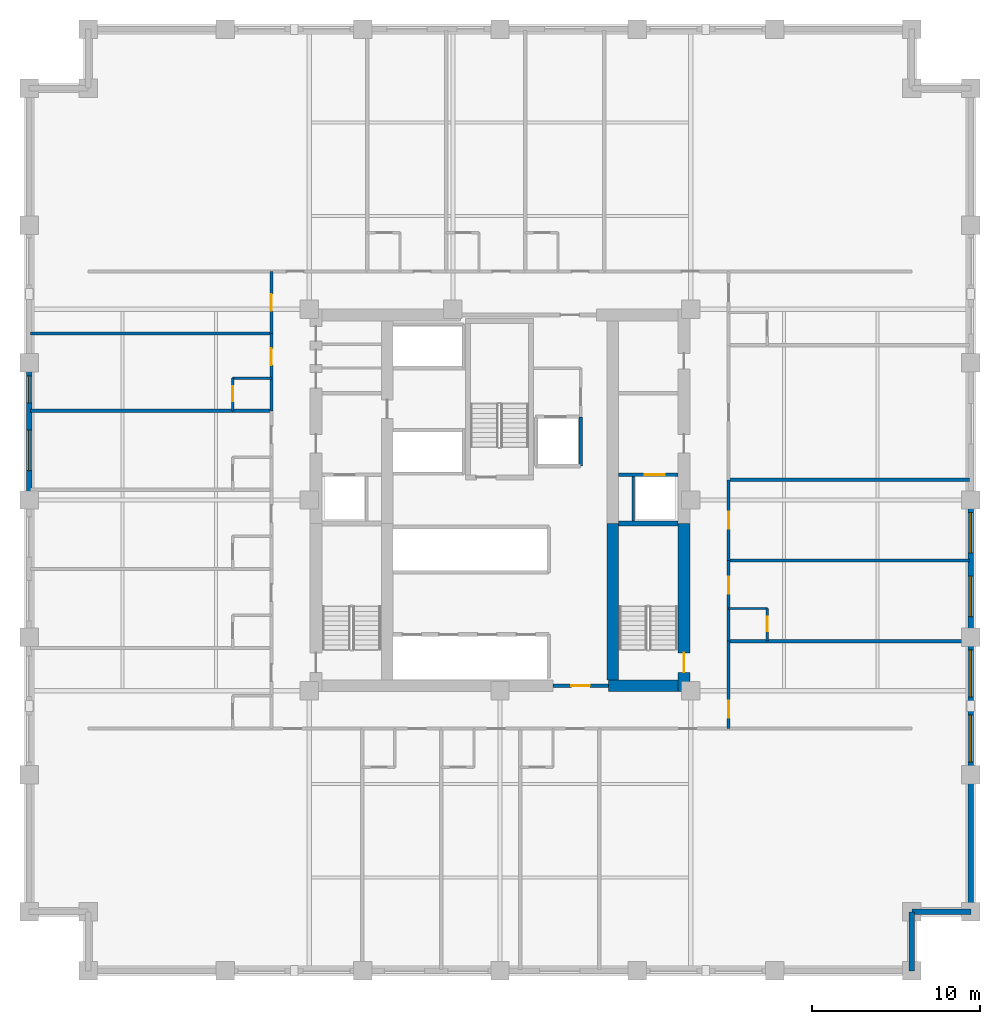
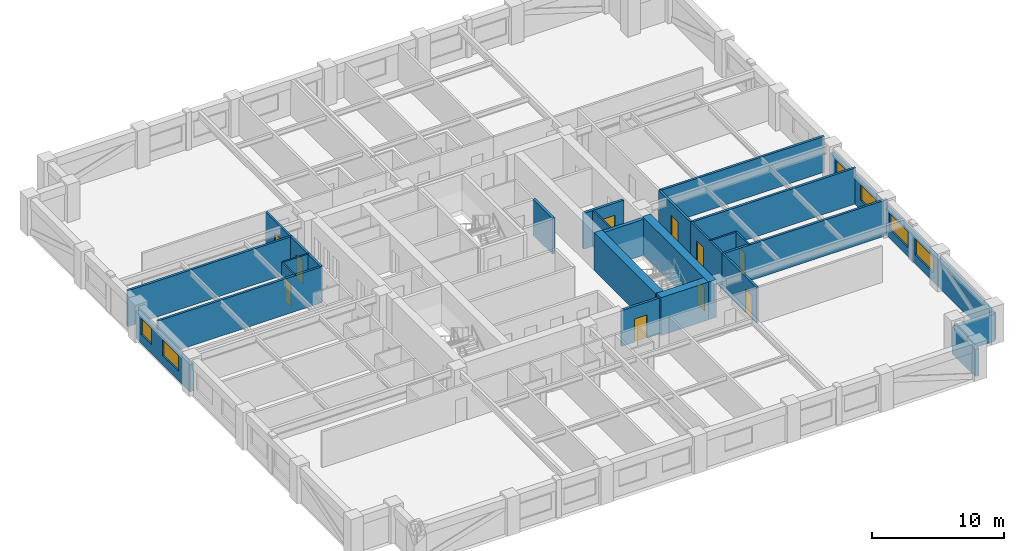
# One storey, part 4 of 8: 28 walls, 10 doors, 6 windows, 16 openings.
"""IFC4 building model written with IfcOpenShell, lengths in metres."""

from ifc_helpers import new_model, si_unit, direction, frame, frame_2d, origin, place, context, subcontext, project, spatial, rectangle, extrude, material, layer, layer_set, type_object, element, fill, save


model = new_model("IFC4")

# Units and contexts
model_context = context("Model", 3, precision=1e-05, world=origin(), true_north=direction((0.0, 1.0)))
body_context = subcontext(model_context, "Body", "Model", "MODEL_VIEW")
ifc_project = project(units=[si_unit("LENGTHUNIT", "METRE"), si_unit("AREAUNIT", "SQUARE_METRE"), si_unit("VOLUMEUNIT", "CUBIC_METRE"), si_unit("PLANEANGLEUNIT", "RADIAN"), si_unit("MASSUNIT", "GRAM", prefix="KILO")], contexts=[model_context])

# Site, building, storey
site_placement = place(None, origin())
site = spatial("IfcSite", under=ifc_project, at=site_placement, CompositionType="ELEMENT")
building_placement = place(site_placement, origin())
building = spatial("IfcBuilding", under=site, at=building_placement, Name="Nhamokura Convention Tower", CompositionType="ELEMENT")
storey_placement = place(building_placement, frame((0.0, 0.0, 42.35009765625)))
storey = spatial("IfcBuildingStorey", under=building, at=storey_placement, Name="L08", CompositionType="ELEMENT", Elevation=42.35009765625)

# Wall
ifc_material_1 = material(Name="Moisture-resistant tile-backer partition", Category="masonry")
ifc_layer_1 = layer(ifc_material_1, 0.139892578125)
ifc_layer_set_1 = layer_set([ifc_layer_1], Name="BathroomWetWall_140")
wall_type_1 = type_object("IfcWallType", Name="BathroomWetWall_140", PredefinedType="STANDARD", material=ifc_layer_set_1)
wall_1_placement = place(storey_placement, frame((16.10009765625, 39.25, 0.0), z_axis=(0.0, 0.0, 1.0), x_axis=(1.0, 0.0, 0.0)))
element("IfcWall", 1, at=wall_1_placement, inside=storey, type_object=wall_type_1, Name="L08 Wall INT-L08-BW-W04N", PredefinedType="STANDARD", context=body_context, shape_type="SweptSolid", body=[
    extrude(rectangle(XDim=2.2998046875, YDim=0.139892578125, at=frame_2d((1.14990234375, 0.0))), origin(), (0.0, 0.0, 1.0), 3.31982421875),
])

# Wall, opening, door
wall_2_placement = place(storey_placement, frame((16.10009765625, 37.300048828125, 0.0), z_axis=(0.0, 0.0, 1.0), x_axis=(0.0, 1.0, 0.0)))
wall_2 = element("IfcWall", 2, at=wall_2_placement, inside=storey, type_object=wall_type_1, Name="L08 Wall INT-L08-BW-W04W", PredefinedType="STANDARD", context=body_context, shape_type="SweptSolid", body=[
    extrude(rectangle(XDim=1.949951171875, YDim=0.139892578125, at=frame_2d((0.97509765625, 0.0))), origin(), (0.0, 0.0, 1.0), 3.31982421875),
])
opening_1_placement = place(wall_2_placement, frame((0.580078125, 0.0, 0.0)))
opening_1 = element("IfcOpeningElement", 3, at=opening_1_placement, cuts=wall_2, Name="Opening D-11", PredefinedType="OPENING", context=body_context, shape_type="SweptSolid", body=[
    extrude(rectangle(XDim=0.8798828125, YDim=2.10009765625, at=frame_2d((0.43994140625, 1.050048828125))), frame((0.0, 0.079833984375, 0.0), z_axis=(0.0, -1.0, 0.0), x_axis=(1.0, 0.0, 0.0)), (0.0, 0.0, 1.0), 0.159912109375),
])
ifc_material_2 = material(Name="Solid oak hardwood", Category="wood")
door_type_1 = type_object("IfcDoorType", Name="BathroomDoor_880", OperationType="NOTDEFINED", PredefinedType="DOOR", material=ifc_material_2)
door_1_placement = place(opening_1_placement, origin())
door_1 = element("IfcDoor", 4, at=door_1_placement, inside=storey, type_object=door_type_1, Name="L08 Guest Room En-suite Door", OperationType="SINGLE_SWING_RIGHT", OverallHeight=2.10009765625, OverallWidth=0.8798828125, PredefinedType="DOOR", context=body_context, shape_type="SweptSolid", body=[
    extrude(rectangle(XDim=0.8798828125, YDim=2.10009765625, at=frame_2d((0.43994140625, 1.050048828125))), frame((0.0, 0.02490234375, 0.0), z_axis=(0.0, -1.0, 0.0), x_axis=(1.0, 0.0, 0.0)), (0.0, 0.0, 1.0), 0.050048828125),
])
fill(opening_1, door_1)

# Wall
wall_3_placement = place(storey_placement, frame((45.60009765625, 25.550048828125, 0.0), z_axis=(0.0, 0.0, 1.0), x_axis=(1.0, 0.0, 0.0)))
element("IfcWall", 5, at=wall_3_placement, inside=storey, type_object=wall_type_1, Name="L08 Wall INT-L08-BW-E01N", PredefinedType="STANDARD", context=body_context, shape_type="SweptSolid", body=[
    extrude(rectangle(XDim=2.2998046875, YDim=0.139892578125, at=frame_2d((1.14990234375, 0.0))), origin(), (0.0, 0.0, 1.0), 3.31982421875),
])

# Wall, opening, door
wall_4_placement = place(storey_placement, frame((47.89990234375, 23.60009765625, 0.0), z_axis=(0.0, 0.0, 1.0), x_axis=(0.0, 1.0, 0.0)))
wall_4 = element("IfcWall", 6, at=wall_4_placement, inside=storey, type_object=wall_type_1, Name="L08 Wall INT-L08-BW-E01E", PredefinedType="STANDARD", context=body_context, shape_type="SweptSolid", body=[
    extrude(rectangle(XDim=1.949951171875, YDim=0.139892578125, at=frame_2d((0.97509765625, 0.0))), origin(), (0.0, 0.0, 1.0), 3.31982421875),
])
opening_2_placement = place(wall_4_placement, frame((0.580078125, 0.0, 0.0)))
opening_2 = element("IfcOpeningElement", 7, at=opening_2_placement, cuts=wall_4, Name="Opening D-11", PredefinedType="OPENING", context=body_context, shape_type="SweptSolid", body=[
    extrude(rectangle(XDim=0.8798828125, YDim=2.10009765625, at=frame_2d((0.43994140625, 1.050048828125))), frame((0.0, 0.079833984375, 0.0), z_axis=(0.0, -1.0, 0.0), x_axis=(1.0, 0.0, 0.0)), (0.0, 0.0, 1.0), 0.159912109375),
])
door_2_placement = place(opening_2_placement, origin())
door_2 = element("IfcDoor", 8, at=door_2_placement, inside=storey, type_object=door_type_1, Name="L08 Guest Room En-suite Door", OperationType="SINGLE_SWING_LEFT", OverallHeight=2.10009765625, OverallWidth=0.8798828125, PredefinedType="DOOR", context=body_context, shape_type="SweptSolid", body=[
    extrude(rectangle(XDim=0.8798828125, YDim=2.10009765625, at=frame_2d((0.43994140625, 1.050048828125))), frame((0.0, 0.02490234375, 0.0), z_axis=(0.0, -1.0, 0.0), x_axis=(1.0, 0.0, 0.0)), (0.0, 0.0, 1.0), 0.050048828125),
])
fill(opening_2, door_2)

# Wall, openings, windows
ifc_material_3 = material(Name="Bronze-pigmented precast concrete C45/55", Category="concrete")
ifc_layer_2 = layer(ifc_material_3, 0.320068359375)
ifc_layer_set_2 = layer_set([ifc_layer_2], Name="BronzePrecastSpandrel_320")
wall_type_2 = type_object("IfcWallType", Name="BronzePrecastSpandrel_320", PredefinedType="USERDEFINED", material=ifc_layer_set_2)
wall_5_placement = place(storey_placement, frame((4.0, 32.0, 0.0), z_axis=(0.0, 0.0, 1.0), x_axis=(0.0, 1.0, 0.0)))
wall_5 = element("IfcWall", 9, at=wall_5_placement, inside=storey, type_object=wall_type_2, Name="L08 Masonry-Frame Wall WEST 3", ObjectType="SPANDREL_WALL", PredefinedType="USERDEFINED", context=body_context, shape_type="SweptSolid", body=[
    extrude(rectangle(XDim=8.166748046875, YDim=0.320068359375, at=frame_2d((4.08349609375, 0.0))), origin(), (0.0, 0.0, 1.0), 2.52001953125),
])
opening_3_placement = place(wall_5_placement, frame((1.75, 0.0, 0.85009765625)))
opening_3 = element("IfcOpeningElement", 10, at=opening_3_placement, cuts=wall_5, Name="Opening W-03", PredefinedType="OPENING", context=body_context, shape_type="SweptSolid", body=[
    extrude(rectangle(XDim=2.39990234375, YDim=1.469970703125, at=frame_2d((1.199951171875, 0.73486328125))), frame((0.0, 0.169921875, 0.0), z_axis=(0.0, -1.0, 0.0), x_axis=(1.0, 0.0, 0.0)), (0.0, 0.0, 1.0), 0.340087890625),
])
opening_4_placement = place(wall_5_placement, frame((5.783203125, 0.0, 0.85009765625)))
opening_4 = element("IfcOpeningElement", 11, at=opening_4_placement, cuts=wall_5, Name="Opening W-11", PredefinedType="OPENING", context=body_context, shape_type="SweptSolid", body=[
    extrude(rectangle(XDim=1.60009765625, YDim=1.469970703125, at=frame_2d((0.800048828125, 0.73486328125))), frame((0.0, 0.169921875, 0.0), z_axis=(0.0, -1.0, 0.0), x_axis=(1.0, 0.0, 0.0)), (0.0, 0.0, 1.0), 0.340087890625),
])
ifc_material_4 = material(Name="Solar-control bronze low-E double glass", Category="glass")
window_type_1 = type_object("IfcWindowType", Name="HotelBayWindow_2400", PartitioningType="DOUBLE_PANEL_VERTICAL", PredefinedType="WINDOW", material=ifc_material_4)
window_1_placement = place(opening_3_placement, origin())
window_1 = element("IfcWindow", 12, at=window_1_placement, inside=storey, type_object=window_type_1, Name="L08 Facade Window WEST 3-1", OverallHeight=1.469970703125, OverallWidth=2.39990234375, PartitioningType="SINGLE_PANEL", PredefinedType="WINDOW", context=body_context, shape_type="SweptSolid", body=[
    extrude(rectangle(XDim=2.39990234375, YDim=1.469970703125, at=frame_2d((1.199951171875, 0.73486328125))), frame((0.0, 0.030029296875, 0.0), z_axis=(0.0, -1.0, 0.0), x_axis=(1.0, 0.0, 0.0)), (0.0, 0.0, 1.0), 0.06005859375),
])
fill(opening_3, window_1)
ifc_material_5 = material(Name="Solar-control bronze low-E double glass", Category="glass")
window_type_2 = type_object("IfcWindowType", Name="NotchCornerWindow_1600", PartitioningType="SINGLE_PANEL", PredefinedType="WINDOW", material=ifc_material_5)
window_2_placement = place(opening_4_placement, origin())
window_2 = element("IfcWindow", 13, at=window_2_placement, inside=storey, type_object=window_type_2, Name="L08 Facade Window WEST 3-2", OverallHeight=1.469970703125, OverallWidth=1.60009765625, PartitioningType="SINGLE_PANEL", PredefinedType="WINDOW", context=body_context, shape_type="SweptSolid", body=[
    extrude(rectangle(XDim=1.60009765625, YDim=1.469970703125, at=frame_2d((0.800048828125, 0.73486328125))), frame((0.0, 0.030029296875, 0.0), z_axis=(0.0, -1.0, 0.0), x_axis=(1.0, 0.0, 0.0)), (0.0, 0.0, 1.0), 0.06005859375),
])
fill(opening_4, window_2)

# Wall
wall_6_placement = place(storey_placement, frame((60.0, 15.666748046875, 0.0), z_axis=(0.0, 0.0, 1.0), x_axis=(0.0, -1.0, 0.0)))
element("IfcWall", 14, at=wall_6_placement, inside=storey, type_object=wall_type_2, Name="L08 Braced-Bay Precast Wall EAST 0", ObjectType="SPANDREL_WALL", PredefinedType="USERDEFINED", context=body_context, shape_type="SweptSolid", body=[
    extrude(rectangle(XDim=8.166748046875, YDim=0.320068359375, at=frame_2d((4.08349609375, 0.0))), origin(), (0.0, 0.0, 1.0), 2.52001953125),
])

# Wall, openings, windows
wall_7_placement = place(storey_placement, frame((60.0, 23.833251953125, 0.0), z_axis=(0.0, 0.0, 1.0), x_axis=(0.0, -1.0, 0.0)))
wall_7 = element("IfcWall", 15, at=wall_7_placement, inside=storey, type_object=wall_type_2, Name="L08 Masonry-Frame Wall EAST 1", ObjectType="SPANDREL_WALL", PredefinedType="USERDEFINED", context=body_context, shape_type="SweptSolid", body=[
    extrude(rectangle(XDim=8.16650390625, YDim=0.320068359375, at=frame_2d((4.083251953125, 0.0))), origin(), (0.0, 0.0, 1.0), 2.52001953125),
])
opening_5_placement = place(wall_7_placement, frame((0.74169921875, 0.0, 0.85009765625)))
opening_5 = element("IfcOpeningElement", 16, at=opening_5_placement, cuts=wall_7, Name="Opening W-04", PredefinedType="OPENING", context=body_context, shape_type="SweptSolid", body=[
    extrude(rectangle(XDim=2.800048828125, YDim=1.469970703125, at=frame_2d((1.39990234375, 0.73486328125))), frame((0.0, 0.169921875, 0.0), z_axis=(0.0, -1.0, 0.0), x_axis=(1.0, 0.0, 0.0)), (0.0, 0.0, 1.0), 0.340087890625),
])
opening_6_placement = place(wall_7_placement, frame((4.625, 0.0, 0.85009765625)))
opening_6 = element("IfcOpeningElement", 17, at=opening_6_placement, cuts=wall_7, Name="Opening W-04", PredefinedType="OPENING", context=body_context, shape_type="SweptSolid", body=[
    extrude(rectangle(XDim=2.800048828125, YDim=1.469970703125, at=frame_2d((1.39990234375, 0.73486328125))), frame((0.0, 0.169921875, 0.0), z_axis=(0.0, -1.0, 0.0), x_axis=(1.0, 0.0, 0.0)), (0.0, 0.0, 1.0), 0.340087890625),
])
ifc_material_6 = material(Name="Solar-control bronze low-E double glass", Category="glass")
window_type_3 = type_object("IfcWindowType", Name="HotelSuiteWindow_2800", PartitioningType="DOUBLE_PANEL_VERTICAL", PredefinedType="WINDOW", material=ifc_material_6)
window_3_placement = place(opening_5_placement, origin())
window_3 = element("IfcWindow", 18, at=window_3_placement, inside=storey, type_object=window_type_3, Name="L08 Facade Window EAST 1-1", OverallHeight=1.469970703125, OverallWidth=2.800048828125, PartitioningType="SINGLE_PANEL", PredefinedType="WINDOW", context=body_context, shape_type="SweptSolid", body=[
    extrude(rectangle(XDim=2.800048828125, YDim=1.469970703125, at=frame_2d((1.39990234375, 0.73486328125))), frame((0.0, 0.030029296875, 0.0), z_axis=(0.0, -1.0, 0.0), x_axis=(1.0, 0.0, 0.0)), (0.0, 0.0, 1.0), 0.06005859375),
])
fill(opening_5, window_3)
window_4_placement = place(opening_6_placement, origin())
window_4 = element("IfcWindow", 19, at=window_4_placement, inside=storey, type_object=window_type_3, Name="L08 Facade Window EAST 1-2", OverallHeight=1.469970703125, OverallWidth=2.800048828125, PartitioningType="SINGLE_PANEL", PredefinedType="WINDOW", context=body_context, shape_type="SweptSolid", body=[
    extrude(rectangle(XDim=2.800048828125, YDim=1.469970703125, at=frame_2d((1.39990234375, 0.73486328125))), frame((0.0, 0.030029296875, 0.0), z_axis=(0.0, -1.0, 0.0), x_axis=(1.0, 0.0, 0.0)), (0.0, 0.0, 1.0), 0.06005859375),
])
fill(opening_6, window_4)

wall_8_placement = place(storey_placement, frame((60.0, 32.0, 0.0), z_axis=(0.0, 0.0, 1.0), x_axis=(0.0, -1.0, 0.0)))
wall_8 = element("IfcWall", 20, at=wall_8_placement, inside=storey, type_object=wall_type_2, Name="L08 Masonry-Frame Wall EAST 2", ObjectType="SPANDREL_WALL", PredefinedType="USERDEFINED", context=body_context, shape_type="SweptSolid", body=[
    extrude(rectangle(XDim=8.166748046875, YDim=0.320068359375, at=frame_2d((4.08349609375, 0.0))), origin(), (0.0, 0.0, 1.0), 2.52001953125),
])
opening_7_placement = place(wall_8_placement, frame((0.75, 0.0, 0.85009765625)))
opening_7 = element("IfcOpeningElement", 21, at=opening_7_placement, cuts=wall_8, Name="Opening W-03", PredefinedType="OPENING", context=body_context, shape_type="SweptSolid", body=[
    extrude(rectangle(XDim=2.39990234375, YDim=1.469970703125, at=frame_2d((1.199951171875, 0.73486328125))), frame((0.0, 0.169921875, 0.0), z_axis=(0.0, -1.0, 0.0), x_axis=(1.0, 0.0, 0.0)), (0.0, 0.0, 1.0), 0.340087890625),
])
opening_8_placement = place(wall_8_placement, frame((4.533203125, 0.0, 0.85009765625)))
opening_8 = element("IfcOpeningElement", 22, at=opening_8_placement, cuts=wall_8, Name="Opening W-03", PredefinedType="OPENING", context=body_context, shape_type="SweptSolid", body=[
    extrude(rectangle(XDim=2.39990234375, YDim=1.469970703125, at=frame_2d((1.199951171875, 0.73486328125))), frame((0.0, 0.169921875, 0.0), z_axis=(0.0, -1.0, 0.0), x_axis=(1.0, 0.0, 0.0)), (0.0, 0.0, 1.0), 0.340087890625),
])
window_5_placement = place(opening_7_placement, origin())
window_5 = element("IfcWindow", 23, at=window_5_placement, inside=storey, type_object=window_type_1, Name="L08 Facade Window EAST 2-1", OverallHeight=1.469970703125, OverallWidth=2.39990234375, PartitioningType="SINGLE_PANEL", PredefinedType="WINDOW", context=body_context, shape_type="SweptSolid", body=[
    extrude(rectangle(XDim=2.39990234375, YDim=1.469970703125, at=frame_2d((1.199951171875, 0.73486328125))), frame((0.0, 0.030029296875, 0.0), z_axis=(0.0, -1.0, 0.0), x_axis=(1.0, 0.0, 0.0)), (0.0, 0.0, 1.0), 0.06005859375),
])
fill(opening_7, window_5)
window_6_placement = place(opening_8_placement, origin())
window_6 = element("IfcWindow", 24, at=window_6_placement, inside=storey, type_object=window_type_1, Name="L08 Facade Window EAST 2-2", OverallHeight=1.469970703125, OverallWidth=2.39990234375, PartitioningType="SINGLE_PANEL", PredefinedType="WINDOW", context=body_context, shape_type="SweptSolid", body=[
    extrude(rectangle(XDim=2.39990234375, YDim=1.469970703125, at=frame_2d((1.199951171875, 0.73486328125))), frame((0.0, 0.030029296875, 0.0), z_axis=(0.0, -1.0, 0.0), x_axis=(1.0, 0.0, 0.0)), (0.0, 0.0, 1.0), 0.06005859375),
])
fill(opening_8, window_6)

# Walls
for number, where, z_axis, x_axis, name in (
    (25, (56.5, 7.5, 0.0), (0.0, 0.0, 1.0), (0.0, -1.0, 0.0), "L08 Notched Corner Wall SE1"),
    (26, (60.0, 7.5, 0.0), (0.0, 0.0, 1.0), (-1.0, 0.0, 0.0), "L08 Notched Corner Wall SE2"),
):
    element("IfcWall", number, at=place(storey_placement, frame(where, z_axis=z_axis, x_axis=x_axis)), inside=storey, type_object=wall_type_2, Name=name, ObjectType="SPANDREL_WALL", PredefinedType="USERDEFINED", context=body_context, shape_type="SweptSolid", body=[
        extrude(rectangle(XDim=3.5, YDim=0.320068359375, at=frame_2d((1.75, 0.0))), origin(), (0.0, 0.0, 1.0), 2.52001953125),
    ])

# Wall, opening, door
ifc_material_7 = material(Name="Concrete C70/85", Category="concrete")
ifc_layer_3 = layer(ifc_material_7, 0.699951171875)
ifc_layer_set_3 = layer_set([ifc_layer_3], Name="CoreShearWall_700")
wall_type_3 = type_object("IfcWallType", Name="CoreShearWall_700", PredefinedType="SHEAR", material=ifc_layer_set_3)
wall_9_placement = place(storey_placement, frame((42.93994140625, 20.60009765625, 0.0), z_axis=(0.0, 0.0, 1.0), x_axis=(0.0, 1.0, 0.0)))
wall_9 = element("IfcWall", 27, at=wall_9_placement, inside=storey, type_object=wall_type_3, Name="L08 Core Shear Wall CW-ES", PredefinedType="SHEAR", context=body_context, shape_type="SweptSolid", body=[
    extrude(rectangle(XDim=10.0, YDim=0.699951171875, at=frame_2d((5.0, 0.0))), origin(), (0.0, 0.0, 1.0), 3.5),
])
opening_9_placement = place(wall_9_placement, frame((1.14990234375, 0.0, 0.0)))
opening_9 = element("IfcOpeningElement", 28, at=opening_9_placement, cuts=wall_9, Name="Opening D-04", PredefinedType="OPENING", context=body_context, shape_type="SweptSolid", body=[
    extrude(rectangle(XDim=1.14990234375, YDim=2.14990234375, at=frame_2d((0.574951171875, 1.074951171875))), frame((0.0, 0.35986328125, 0.0), z_axis=(0.0, -1.0, 0.0), x_axis=(1.0, 0.0, 0.0)), (0.0, 0.0, 1.0), 0.719970703125),
])
ifc_material_8 = material(Name="Fire-rated steel door", Category="steel")
door_type_2 = type_object("IfcDoorType", Name="StairSmokeDoor_1150", OperationType="NOTDEFINED", PredefinedType="DOOR", material=ifc_material_8)
door_3_placement = place(opening_9_placement, origin())
door_3 = element("IfcDoor", 29, at=door_3_placement, inside=storey, type_object=door_type_2, Name="L08 Core Door INT-L08-D-ST02", OperationType="SINGLE_SWING_RIGHT", OverallHeight=2.14990234375, OverallWidth=1.14990234375, PredefinedType="DOOR", context=body_context, shape_type="SweptSolid", body=[
    extrude(rectangle(XDim=1.14990234375, YDim=2.14990234375, at=frame_2d((0.574951171875, 1.074951171875))), frame((0.0, 0.02490234375, 0.0), z_axis=(0.0, -1.0, 0.0), x_axis=(1.0, 0.0, 0.0)), (0.0, 0.0, 1.0), 0.050048828125),
])
fill(opening_9, door_3)

# Walls
wall_10_placement = place(storey_placement, frame((38.449951171875, 20.949951171875, 0.0), z_axis=(0.0, 0.0, 1.0), x_axis=(1.0, 0.0, 0.0)))
element("IfcWall", 30, at=wall_10_placement, inside=storey, type_object=wall_type_3, Name="L08 Core Shear Wall CW-S2", PredefinedType="SHEAR", context=body_context, shape_type="SweptSolid", body=[
    extrude(rectangle(XDim=4.14013671875, YDim=0.699951171875, at=frame_2d((2.070068359375, 0.0))), origin(), (0.0, 0.0, 1.0), 3.5),
])
wall_11_placement = place(storey_placement, frame((38.7099609375, 21.300048828125, 0.0), z_axis=(0.0, 0.0, 1.0), x_axis=(0.0, 1.0, 0.0)))
element("IfcWall", 31, at=wall_11_placement, inside=storey, type_object=wall_type_3, Name="L08 Core Shear Wall CW-IES", PredefinedType="SHEAR", context=body_context, shape_type="SweptSolid", body=[
    extrude(rectangle(XDim=9.300048828125, YDim=0.699951171875, at=frame_2d((4.64990234375, 0.0))), origin(), (0.0, 0.0, 1.0), 3.5),
])

# Wall, opening, door
ifc_material_9 = material(Name="Fire-rated gypsum and masonry partition", Category="masonry")
ifc_layer_4 = layer(ifc_material_9, 0.179931640625)
ifc_layer_set_4 = layer_set([ifc_layer_4], Name="CorridorRatedWall_180")
wall_type_4 = type_object("IfcWallType", Name="CorridorRatedWall_180", PredefinedType="STANDARD", material=ifc_layer_set_4)
wall_12_placement = place(storey_placement, frame((18.39990234375, 37.300048828125, 0.0), z_axis=(0.0, 0.0, 1.0), x_axis=(0.0, 1.0, 0.0)))
wall_12 = element("IfcWall", 32, at=wall_12_placement, inside=storey, type_object=wall_type_4, Name="L08 Wall INT-L08-CW-W04", PredefinedType="STANDARD", context=body_context, shape_type="SweptSolid", body=[
    extrude(rectangle(XDim=4.599853515625, YDim=0.179931640625, at=frame_2d((2.2998046875, 0.0))), origin(), (0.0, 0.0, 1.0), 3.31982421875),
])
opening_10_placement = place(wall_12_placement, frame((2.72509765625, 0.0, 0.0)))
opening_10 = element("IfcOpeningElement", 33, at=opening_10_placement, cuts=wall_12, Name="Opening D-07", PredefinedType="OPENING", context=body_context, shape_type="SweptSolid", body=[
    extrude(rectangle(XDim=1.0, YDim=2.14990234375, at=frame_2d((0.5, 1.074951171875))), frame((0.0, 0.099853515625, 0.0), z_axis=(0.0, -1.0, 0.0), x_axis=(1.0, 0.0, 0.0)), (0.0, 0.0, 1.0), 0.199951171875),
])
ifc_material_10 = material(Name="Solid oak hardwood", Category="wood")
door_type_3 = type_object("IfcDoorType", Name="HotelSuiteEntryDoor_1000", OperationType="NOTDEFINED", PredefinedType="DOOR", material=ifc_material_10)
door_4_placement = place(opening_10_placement, origin())
door_4 = element("IfcDoor", 34, at=door_4_placement, inside=storey, type_object=door_type_3, Name="L08 Guest Room W05 Door", OperationType="SINGLE_SWING_LEFT", OverallHeight=2.14990234375, OverallWidth=1.0, PredefinedType="DOOR", context=body_context, shape_type="SweptSolid", body=[
    extrude(rectangle(XDim=1.0, YDim=2.14990234375, at=frame_2d((0.5, 1.074951171875))), frame((0.0, 0.02490234375, 0.0), z_axis=(0.0, -1.0, 0.0), x_axis=(1.0, 0.0, 0.0)), (0.0, 0.0, 1.0), 0.050048828125),
])
fill(opening_10, door_4)

wall_13_placement = place(storey_placement, frame((18.39990234375, 41.89990234375, 0.0), z_axis=(0.0, 0.0, 1.0), x_axis=(0.0, 1.0, 0.0)))
wall_13 = element("IfcWall", 35, at=wall_13_placement, inside=storey, type_object=wall_type_4, Name="L08 Wall INT-L08-CW-W05", PredefinedType="STANDARD", context=body_context, shape_type="SweptSolid", body=[
    extrude(rectangle(XDim=3.7001953125, YDim=0.179931640625, at=frame_2d((1.85009765625, 0.0))), origin(), (0.0, 0.0, 1.0), 3.31982421875),
])
opening_11_placement = place(wall_13_placement, frame((1.35009765625, 0.0, 0.0)))
opening_11 = element("IfcOpeningElement", 36, at=opening_11_placement, cuts=wall_13, Name="Opening D-07", PredefinedType="OPENING", context=body_context, shape_type="SweptSolid", body=[
    extrude(rectangle(XDim=1.0, YDim=2.14990234375, at=frame_2d((0.5, 1.074951171875))), frame((0.0, 0.099853515625, 0.0), z_axis=(0.0, -1.0, 0.0), x_axis=(1.0, 0.0, 0.0)), (0.0, 0.0, 1.0), 0.199951171875),
])
door_5_placement = place(opening_11_placement, origin())
door_5 = element("IfcDoor", 37, at=door_5_placement, inside=storey, type_object=door_type_3, Name="L08 Service Linen Room W06 Door", OperationType="SINGLE_SWING_RIGHT", OverallHeight=2.14990234375, OverallWidth=1.0, PredefinedType="DOOR", context=body_context, shape_type="SweptSolid", body=[
    extrude(rectangle(XDim=1.0, YDim=2.14990234375, at=frame_2d((0.5, 1.074951171875))), frame((0.0, 0.02490234375, 0.0), z_axis=(0.0, -1.0, 0.0), x_axis=(1.0, 0.0, 0.0)), (0.0, 0.0, 1.0), 0.050048828125),
])
fill(opening_11, door_5)

wall_14_placement = place(storey_placement, frame((45.60009765625, 18.39990234375, 0.0), z_axis=(0.0, 0.0, 1.0), x_axis=(0.0, 1.0, 0.0)))
wall_14 = element("IfcWall", 38, at=wall_14_placement, inside=storey, type_object=wall_type_4, Name="L08 Wall INT-L08-CW-E00", PredefinedType="STANDARD", context=body_context, shape_type="SweptSolid", body=[
    extrude(rectangle(XDim=5.2001953125, YDim=0.179931640625, at=frame_2d((2.60009765625, 0.0))), origin(), (0.0, 0.0, 1.0), 3.31982421875),
])
opening_12_placement = place(wall_14_placement, frame((0.64990234375, 0.0, 0.0)))
opening_12 = element("IfcOpeningElement", 39, at=opening_12_placement, cuts=wall_14, Name="Opening D-07", PredefinedType="OPENING", context=body_context, shape_type="SweptSolid", body=[
    extrude(rectangle(XDim=1.0, YDim=2.14990234375, at=frame_2d((0.5, 1.074951171875))), frame((0.0, 0.099853515625, 0.0), z_axis=(0.0, -1.0, 0.0), x_axis=(1.0, 0.0, 0.0)), (0.0, 0.0, 1.0), 0.199951171875),
])
door_6_placement = place(opening_12_placement, origin())
door_6 = element("IfcDoor", 40, at=door_6_placement, inside=storey, type_object=door_type_3, Name="L08 Conference Salon E01 Door", OperationType="SINGLE_SWING_LEFT", OverallHeight=2.14990234375, OverallWidth=1.0, PredefinedType="DOOR", context=body_context, shape_type="SweptSolid", body=[
    extrude(rectangle(XDim=1.0, YDim=2.14990234375, at=frame_2d((0.5, 1.074951171875))), frame((0.0, 0.02490234375, 0.0), z_axis=(0.0, -1.0, 0.0), x_axis=(1.0, 0.0, 0.0)), (0.0, 0.0, 1.0), 0.050048828125),
])
fill(opening_12, door_6)

wall_15_placement = place(storey_placement, frame((45.60009765625, 23.60009765625, 0.0), z_axis=(0.0, 0.0, 1.0), x_axis=(0.0, 1.0, 0.0)))
wall_15 = element("IfcWall", 41, at=wall_15_placement, inside=storey, type_object=wall_type_4, Name="L08 Wall INT-L08-CW-E01", PredefinedType="STANDARD", context=body_context, shape_type="SweptSolid", body=[
    extrude(rectangle(XDim=4.7998046875, YDim=0.179931640625, at=frame_2d((2.39990234375, 0.0))), origin(), (0.0, 0.0, 1.0), 3.31982421875),
])
opening_13_placement = place(wall_15_placement, frame((2.824951171875, 0.0, 0.0)))
opening_13 = element("IfcOpeningElement", 42, at=opening_13_placement, cuts=wall_15, Name="Opening D-07", PredefinedType="OPENING", context=body_context, shape_type="SweptSolid", body=[
    extrude(rectangle(XDim=1.0, YDim=2.14990234375, at=frame_2d((0.5, 1.074951171875))), frame((0.0, 0.099853515625, 0.0), z_axis=(0.0, -1.0, 0.0), x_axis=(1.0, 0.0, 0.0)), (0.0, 0.0, 1.0), 0.199951171875),
])
door_7_placement = place(opening_13_placement, origin())
door_7 = element("IfcDoor", 43, at=door_7_placement, inside=storey, type_object=door_type_3, Name="L08 Guest Room E02 Door", OperationType="SINGLE_SWING_RIGHT", OverallHeight=2.14990234375, OverallWidth=1.0, PredefinedType="DOOR", context=body_context, shape_type="SweptSolid", body=[
    extrude(rectangle(XDim=1.0, YDim=2.14990234375, at=frame_2d((0.5, 1.074951171875))), frame((0.0, 0.02490234375, 0.0), z_axis=(0.0, -1.0, 0.0), x_axis=(1.0, 0.0, 0.0)), (0.0, 0.0, 1.0), 0.050048828125),
])
fill(opening_13, door_7)

wall_16_placement = place(storey_placement, frame((45.60009765625, 28.39990234375, 0.0), z_axis=(0.0, 0.0, 1.0), x_axis=(0.0, 1.0, 0.0)))
wall_16 = element("IfcWall", 44, at=wall_16_placement, inside=storey, type_object=wall_type_4, Name="L08 Wall INT-L08-CW-E02", PredefinedType="STANDARD", context=body_context, shape_type="SweptSolid", body=[
    extrude(rectangle(XDim=4.800048828125, YDim=0.179931640625, at=frame_2d((2.39990234375, 0.0))), origin(), (0.0, 0.0, 1.0), 3.31982421875),
])
opening_14_placement = place(wall_16_placement, frame((1.89990234375, 0.0, 0.0)))
opening_14 = element("IfcOpeningElement", 45, at=opening_14_placement, cuts=wall_16, Name="Opening D-07", PredefinedType="OPENING", context=body_context, shape_type="SweptSolid", body=[
    extrude(rectangle(XDim=1.0, YDim=2.14990234375, at=frame_2d((0.5, 1.074951171875))), frame((0.0, 0.099853515625, 0.0), z_axis=(0.0, -1.0, 0.0), x_axis=(1.0, 0.0, 0.0)), (0.0, 0.0, 1.0), 0.199951171875),
])
door_8_placement = place(opening_14_placement, origin())
door_8 = element("IfcDoor", 46, at=door_8_placement, inside=storey, type_object=door_type_3, Name="L08 Housekeeping Store E03 Door", OperationType="SINGLE_SWING_LEFT", OverallHeight=2.14990234375, OverallWidth=1.0, PredefinedType="DOOR", context=body_context, shape_type="SweptSolid", body=[
    extrude(rectangle(XDim=1.0, YDim=2.14990234375, at=frame_2d((0.5, 1.074951171875))), frame((0.0, 0.02490234375, 0.0), z_axis=(0.0, -1.0, 0.0), x_axis=(1.0, 0.0, 0.0)), (0.0, 0.0, 1.0), 0.050048828125),
])
fill(opening_14, door_8)

ifc_material_11 = material(Name="Autoclaved concrete blockwork", Category="masonry")
ifc_layer_5 = layer(ifc_material_11, 0.219970703125)
ifc_layer_set_5 = layer_set([ifc_layer_5], Name="FireLobbyWall_220")
wall_type_5 = type_object("IfcWallType", Name="FireLobbyWall_220", PredefinedType="STANDARD", material=ifc_layer_set_5)
wall_17_placement = place(storey_placement, frame((39.06005859375, 33.5, 0.0), z_axis=(0.0, 0.0, 1.0), x_axis=(1.0, 0.0, 0.0)))
wall_17 = element("IfcWall", 47, at=wall_17_placement, inside=storey, type_object=wall_type_5, Name="L08 Wall INT-L08-FFE-S", PredefinedType="STANDARD", context=body_context, shape_type="SweptSolid", body=[
    extrude(rectangle(XDim=3.530029296875, YDim=0.219970703125, at=frame_2d((1.76513671875, 0.0))), origin(), (0.0, 0.0, 1.0), 3.31982421875),
])
opening_15_placement = place(wall_17_placement, frame((1.550048828125, 0.0, 0.0)))
opening_15 = element("IfcOpeningElement", 48, at=opening_15_placement, cuts=wall_17, Name="Opening LD-02", PredefinedType="OPENING", context=body_context, shape_type="SweptSolid", body=[
    extrude(rectangle(XDim=1.199951171875, YDim=2.199951171875, at=frame_2d((0.60009765625, 1.10009765625))), frame((0.0, 0.119873046875, 0.0), z_axis=(0.0, -1.0, 0.0), x_axis=(1.0, 0.0, 0.0)), (0.0, 0.0, 1.0), 0.239990234375),
])
ifc_material_12 = material(Name="Anodised bronze stainless steel", Category="steel")
door_type_4 = type_object("IfcDoorType", Name="LiftLandingDoor_FireService", OperationType="DOUBLE_DOOR_SLIDING", PredefinedType="DOOR", material=ifc_material_12)
door_9_placement = place(opening_15_placement, origin())
door_9 = element("IfcDoor", 49, at=door_9_placement, inside=storey, type_object=door_type_4, Name="L08 Firefighting Lift LF-02 Door", OperationType="DOUBLE_DOOR_SLIDING", OverallHeight=2.199951171875, OverallWidth=1.199951171875, PredefinedType="DOOR", context=body_context, shape_type="SweptSolid", body=[
    extrude(rectangle(XDim=1.199951171875, YDim=2.199951171875, at=frame_2d((0.60009765625, 1.10009765625))), frame((0.0, 0.02490234375, 0.0), z_axis=(0.0, -1.0, 0.0), x_axis=(1.0, 0.0, 0.0)), (0.0, 0.0, 1.0), 0.050048828125),
])
fill(opening_15, door_9)

wall_18_placement = place(storey_placement, frame((35.14990234375, 20.949951171875, 0.0), z_axis=(0.0, 0.0, 1.0), x_axis=(1.0, 0.0, 0.0)))
wall_18 = element("IfcWall", 50, at=wall_18_placement, inside=storey, type_object=wall_type_5, Name="L08 Wall INT-L08-SPORT-S", PredefinedType="STANDARD", context=body_context, shape_type="SweptSolid", body=[
    extrude(rectangle(XDim=3.300048828125, YDim=0.219970703125, at=frame_2d((1.64990234375, 0.0))), origin(), (0.0, 0.0, 1.0), 3.31982421875),
])
opening_16_placement = place(wall_18_placement, frame((1.10009765625, 0.0, 0.0)))
opening_16 = element("IfcOpeningElement", 51, at=opening_16_placement, cuts=wall_18, Name="Opening D-05", PredefinedType="OPENING", context=body_context, shape_type="SweptSolid", body=[
    extrude(rectangle(XDim=1.10009765625, YDim=2.14990234375, at=frame_2d((0.550048828125, 1.074951171875))), frame((0.0, 0.119873046875, 0.0), z_axis=(0.0, -1.0, 0.0), x_axis=(1.0, 0.0, 0.0)), (0.0, 0.0, 1.0), 0.239990234375),
])
ifc_material_13 = material(Name="Fire-rated steel door", Category="steel")
door_type_5 = type_object("IfcDoorType", Name="FireLobbyDoor_1100", OperationType="NOTDEFINED", PredefinedType="DOOR", material=ifc_material_13)
door_10_placement = place(opening_16_placement, origin())
door_10 = element("IfcDoor", 52, at=door_10_placement, inside=storey, type_object=door_type_5, Name="L08 South Core Lobby Portal Door", OperationType="SINGLE_SWING_LEFT", OverallHeight=2.14990234375, OverallWidth=1.10009765625, PredefinedType="DOOR", context=body_context, shape_type="SweptSolid", body=[
    extrude(rectangle(XDim=1.10009765625, YDim=2.14990234375, at=frame_2d((0.550048828125, 1.074951171875))), frame((0.0, 0.02490234375, 0.0), z_axis=(0.0, -1.0, 0.0), x_axis=(1.0, 0.0, 0.0)), (0.0, 0.0, 1.0), 0.050048828125),
])
fill(opening_16, door_10)

# Walls
wall_19_placement = place(storey_placement, frame((36.800048828125, 34.02001953125, 0.0), z_axis=(0.0, 0.0, 1.0), x_axis=(0.0, 1.0, 0.0)))
element("IfcWall", 53, at=wall_19_placement, inside=storey, type_object=wall_type_5, Name="L08 Wall INT-L08-LSE", PredefinedType="STANDARD", context=body_context, shape_type="SweptSolid", body=[
    extrude(rectangle(XDim=2.929931640625, YDim=0.219970703125, at=frame_2d((1.46484375, 0.0))), origin(), (0.0, 0.0, 1.0), 3.31982421875),
])
ifc_material_14 = material(Name="Acoustic twin-stud gypsum partition", Category="masonry")
ifc_layer_6 = layer(ifc_material_14, 0.199951171875)
ifc_layer_set_6 = layer_set([ifc_layer_6], Name="HotelDemisingWall_200")
wall_type_6 = type_object("IfcWallType", Name="HotelDemisingWall_200", PredefinedType="STANDARD", material=ifc_layer_set_6)
for number, where, z_axis, x_axis, name in (
    (54, (4.06005859375, 37.300048828125, 0.0), (0.0, 0.0, 1.0), (1.0, 0.0, 0.0), "L08 Wall INT-L08-RW-W04"),
    (55, (4.06005859375, 41.89990234375, 0.0), (0.0, 0.0, 1.0), (1.0, 0.0, 0.0), "L08 Wall INT-L08-RW-W05"),
    (56, (45.60009765625, 23.60009765625, 0.0), (0.0, 0.0, 1.0), (1.0, 0.0, 0.0), "L08 Wall INT-L08-RW-E01"),
    (57, (45.60009765625, 28.39990234375, 0.0), (0.0, 0.0, 1.0), (1.0, 0.0, 0.0), "L08 Wall INT-L08-RW-E02"),
    (58, (45.60009765625, 33.199951171875, 0.0), (0.0, 0.0, 1.0), (1.0, 0.0, 0.0), "L08 Wall INT-L08-RW-E03"),
):
    element("IfcWall", number, at=place(storey_placement, frame(where, z_axis=z_axis, x_axis=x_axis)), inside=storey, type_object=wall_type_6, Name=name, PredefinedType="STANDARD", context=body_context, shape_type="SweptSolid", body=[
        extrude(rectangle(XDim=14.33984375, YDim=0.199951171875, at=frame_2d((7.169921875, 0.0))), origin(), (0.0, 0.0, 1.0), 3.31982421875),
    ])
ifc_material_15 = material(Name="Acoustic gypsum stud partition", Category="masonry")
ifc_layer_7 = layer(ifc_material_15, 0.14990234375)
ifc_layer_set_7 = layer_set([ifc_layer_7], Name="InteriorPartition_150")
wall_type_7 = type_object("IfcWallType", Name="InteriorPartition_150", PredefinedType="STANDARD", material=ifc_layer_set_7)
wall_20_placement = place(storey_placement, frame((39.919921875, 30.75, 0.0), z_axis=(0.0, 0.0, 1.0), x_axis=(0.0, 1.0, 0.0)))
element("IfcWall", 59, at=wall_20_placement, inside=storey, type_object=wall_type_7, Name="L08 Wall INT-L08-FF2-W", PredefinedType="STANDARD", context=body_context, shape_type="SweptSolid", body=[
    extrude(rectangle(XDim=2.64990234375, YDim=0.14990234375, at=frame_2d((1.324951171875, 0.0))), origin(), (0.0, 0.0, 1.0), 3.31982421875),
])
ifc_material_16 = material(Name="Concrete C50/60", Category="concrete")
ifc_layer_8 = layer(ifc_material_16, 0.300048828125)
ifc_layer_set_8 = layer_set([ifc_layer_8], Name="ShaftEnclosureWall_300")
wall_type_8 = type_object("IfcWallType", Name="ShaftEnclosureWall_300", PredefinedType="SHEAR", material=ifc_layer_set_8)
wall_21_placement = place(storey_placement, frame((39.06005859375, 30.60009765625, 0.0), z_axis=(0.0, 0.0, 1.0), x_axis=(1.0, 0.0, 0.0)))
element("IfcWall", 60, at=wall_21_placement, inside=storey, type_object=wall_type_8, Name="L08 Wall INT-L08-ST02-N", PredefinedType="SHEAR", context=body_context, shape_type="SweptSolid", body=[
    extrude(rectangle(XDim=3.530029296875, YDim=0.300048828125, at=frame_2d((1.76513671875, 0.0))), origin(), (0.0, 0.0, 1.0), 3.31982421875),
])

save(model, "model.ifc")
